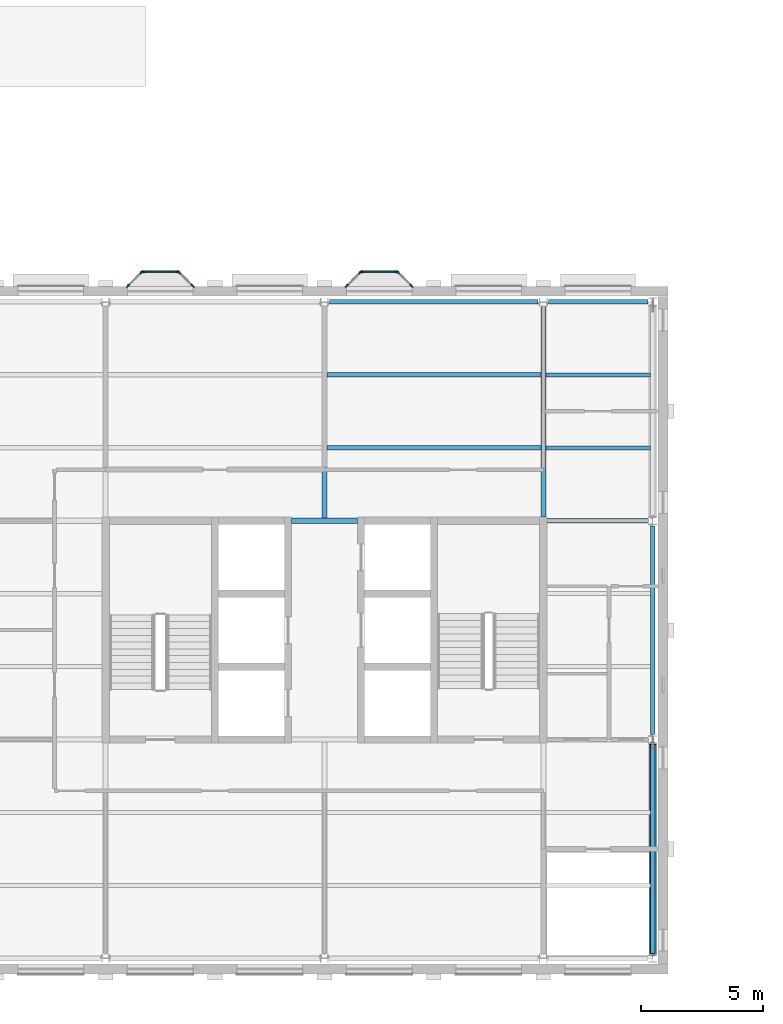
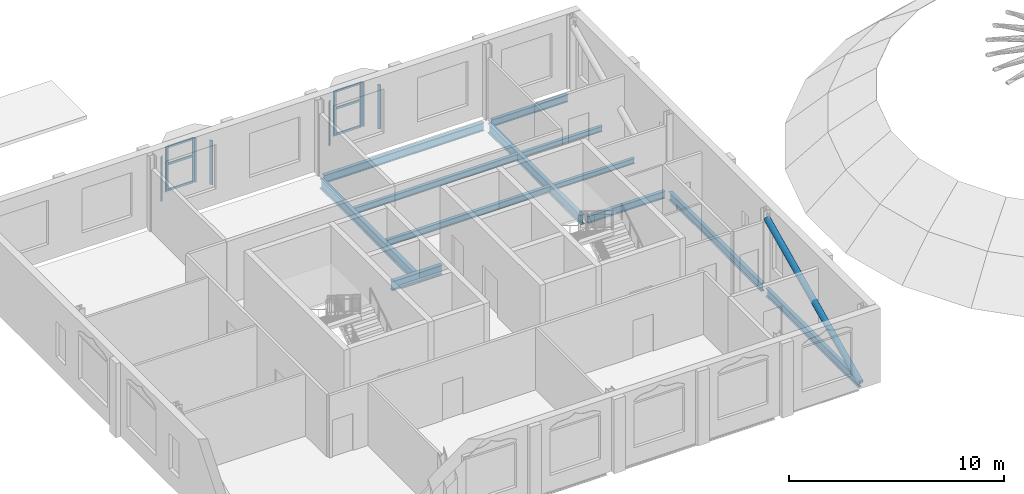
# One storey, part 2 of 15: 19 members, 12 beams, 6 elements without a shape of their own.
"""IFC4 building model written with IfcOpenShell, lengths in metres."""

from ifc_helpers import new_model, si_unit, direction, frame, origin, origin_2d, place, context, subcontext, project, spatial, rectangle, hollow_circle, i_section, extrude, material, layer, layer_set, material_profile, profile_set, type_object, element, aggregate, save


model = new_model("IFC4")

# Units and contexts
model_context = context("Model", 3, precision=1e-05, world=origin(), true_north=direction((0.0, 1.0)))
body_context = subcontext(model_context, "Body", "Model", "MODEL_VIEW")
ifc_project = project(units=[si_unit("LENGTHUNIT", "METRE"), si_unit("AREAUNIT", "SQUARE_METRE"), si_unit("VOLUMEUNIT", "CUBIC_METRE"), si_unit("PLANEANGLEUNIT", "RADIAN"), si_unit("MASSUNIT", "GRAM", prefix="KILO")], contexts=[model_context])

# Site, building, storey
site_placement = place(None, origin())
site = spatial("IfcSite", under=ifc_project, at=site_placement, CompositionType="ELEMENT")
building_placement = place(site_placement, origin())
building = spatial("IfcBuilding", under=site, at=building_placement, Name="Hortulan Conservatory and Botanical Research Centre", CompositionType="ELEMENT")
storey_placement = place(building_placement, frame((0.0, 0.0, 23.39990234375)))
storey = spatial("IfcBuildingStorey", under=building, at=storey_placement, Name="L05", CompositionType="ELEMENT", Elevation=23.39990234375)

# Member
ifc_material_1 = material(Name="Steel Grade C350L0 (350 MPa, AS/NZS 1163)", Category="steel")
ifc_material_profile_1 = material_profile(ifc_material_1, hollow_circle(Radius=0.161865234375, WallThickness=0.009521484375, at=origin_2d()), Name="323.9x9.5CHS")
ifc_profile_set_1 = profile_set([ifc_material_profile_1], Name="Steel Grade C350L0 (350 MPa, AS/NZS 1163)")
member_type_1 = type_object("IfcMemberType", Name="Brace 323.9x9.5CHS", PredefinedType="BRACE", material=ifc_profile_set_1)
member_1_placement = place(storey_placement, frame((31.5, 0.16357421875, -0.28369140625), z_axis=(0.0, 0.906172061076, 0.422909205061), x_axis=(-1.0, 0.0, 0.0)))
element("IfcMember", 1, at=member_1_placement, inside=storey, type_object=member_type_1, Name="323.9x9.5CHS brace", PredefinedType="BRACE", context=body_context, shape_type="SweptSolid", body=[
    extrude(hollow_circle(Radius=0.161865234375, WallThickness=0.009521484375, at=origin_2d()), origin(), (0.0, 0.0, 1.0), 9.57080078125),
])

# Curtain wall, members
ifc_material_2 = material(Name="Bronze-finished aluminium", Category="aluminium")
ifc_layer = layer(ifc_material_2, 0.10009765625)
ifc_layer_set = layer_set([ifc_layer], Name="Oriel Curtain Wall 1350 module")
curtain_wall_type = type_object("IfcCurtainWallType", Name="Oriel Curtain Wall 1350 module", PredefinedType="NOTDEFINED", material=ifc_layer_set)
curtain_wall_1_placement = place(storey_placement, origin())
curtain_wall_1 = element("IfcCurtainWall", 2, at=curtain_wall_1_placement, inside=storey, type_object=curtain_wall_type, Name="Oriel glazing", PredefinedType="NOTDEFINED")
ifc_material_profile_2 = material_profile(ifc_material_2, rectangle(XDim=0.06005859375, YDim=0.159912109375, at=origin_2d()), Name="Bronze Mullion 60x160")
ifc_profile_set_2 = profile_set([ifc_material_profile_2], Name="Bronze-finished aluminium")
member_type_2 = type_object("IfcMemberType", Name="Bronze Mullion 60x160", PredefinedType="MULLION", material=ifc_profile_set_2)
member_2_placement = place(storey_placement, frame((9.921142578125, 27.6572265625, 0.900146484375), z_axis=(0.0, 0.0, 1.0), x_axis=(-0.707106781187, 0.707106781187, 0.0)))
member_2 = element("IfcMember", 3, at=member_2_placement, type_object=member_type_2, Name="CW2 mullion 1", PredefinedType="MULLION", context=body_context, shape_type="SweptSolid", body=[
    extrude(rectangle(XDim=0.06005859375, YDim=0.159912109375, at=origin_2d()), origin(), (0.0, 0.0, 1.0), 2.5),
])
member_3_placement = place(storey_placement, frame((10.478759765625, 28.21484375, 0.900146484375), z_axis=(0.0, 0.0, 1.0), x_axis=(-0.707106781187, 0.707106781187, 0.0)))
member_3 = element("IfcMember", 4, at=member_3_placement, type_object=member_type_2, Name="CW2 mullion 2", PredefinedType="MULLION", context=body_context, shape_type="SweptSolid", body=[
    extrude(rectangle(XDim=0.06005859375, YDim=0.159912109375, at=origin_2d()), origin(), (0.0, 0.0, 1.0), 2.5),
])
aggregate(curtain_wall_1, [member_2, member_3])

curtain_wall_2_placement = place(storey_placement, origin())
curtain_wall_2 = element("IfcCurtainWall", 5, at=curtain_wall_2_placement, inside=storey, type_object=curtain_wall_type, Name="Oriel glazing", PredefinedType="NOTDEFINED")
member_4_placement = place(storey_placement, frame((10.530029296875, 28.236083984375, 0.900146484375), z_axis=(0.0, 0.0, 1.0), x_axis=(0.0, 1.0, 0.0)))
member_4 = element("IfcMember", 6, at=member_4_placement, type_object=member_type_2, Name="CW2 mullion 1", PredefinedType="MULLION", context=body_context, shape_type="SweptSolid", body=[
    extrude(rectangle(XDim=0.06005859375, YDim=0.159912109375, at=origin_2d()), origin(), (0.0, 0.0, 1.0), 2.5),
])
member_5_placement = place(storey_placement, frame((11.969970703125, 28.236083984375, 0.900146484375), z_axis=(0.0, 0.0, 1.0), x_axis=(0.0, 1.0, 0.0)))
member_5 = element("IfcMember", 7, at=member_5_placement, type_object=member_type_2, Name="CW2 mullion 2", PredefinedType="MULLION", context=body_context, shape_type="SweptSolid", body=[
    extrude(rectangle(XDim=0.06005859375, YDim=0.159912109375, at=origin_2d()), origin(), (0.0, 0.0, 1.0), 2.5),
])

curtain_wall_3_placement = place(storey_placement, origin())
curtain_wall_3 = element("IfcCurtainWall", 8, at=curtain_wall_3_placement, inside=storey, type_object=curtain_wall_type, Name="Oriel glazing", PredefinedType="NOTDEFINED")
member_6_placement = place(storey_placement, frame((12.021240234375, 28.21484375, 0.900146484375), z_axis=(0.0, 0.0, 1.0), x_axis=(0.707106781187, 0.707106781187, 0.0)))
member_6 = element("IfcMember", 9, at=member_6_placement, type_object=member_type_2, Name="CW2 mullion 1", PredefinedType="MULLION", context=body_context, shape_type="SweptSolid", body=[
    extrude(rectangle(XDim=0.06005859375, YDim=0.159912109375, at=origin_2d()), origin(), (0.0, 0.0, 1.0), 2.5),
])
member_7_placement = place(storey_placement, frame((12.578857421875, 27.6572265625, 0.900146484375), z_axis=(0.0, 0.0, 1.0), x_axis=(0.707106781187, 0.707106781187, 0.0)))
member_7 = element("IfcMember", 10, at=member_7_placement, type_object=member_type_2, Name="CW2 mullion 2", PredefinedType="MULLION", context=body_context, shape_type="SweptSolid", body=[
    extrude(rectangle(XDim=0.06005859375, YDim=0.159912109375, at=origin_2d()), origin(), (0.0, 0.0, 1.0), 2.5),
])
aggregate(curtain_wall_3, [member_6, member_7])

curtain_wall_4_placement = place(storey_placement, origin())
curtain_wall_4 = element("IfcCurtainWall", 11, at=curtain_wall_4_placement, inside=storey, type_object=curtain_wall_type, Name="Oriel glazing", PredefinedType="NOTDEFINED")
member_8_placement = place(storey_placement, frame((18.921142578125, 27.6572265625, 0.900146484375), z_axis=(0.0, 0.0, 1.0), x_axis=(-0.707106781187, 0.707106781187, 0.0)))
member_8 = element("IfcMember", 12, at=member_8_placement, type_object=member_type_2, Name="CW2 mullion 1", PredefinedType="MULLION", context=body_context, shape_type="SweptSolid", body=[
    extrude(rectangle(XDim=0.06005859375, YDim=0.159912109375, at=origin_2d()), origin(), (0.0, 0.0, 1.0), 2.5),
])
member_9_placement = place(storey_placement, frame((19.478759765625, 28.21484375, 0.900146484375), z_axis=(0.0, 0.0, 1.0), x_axis=(-0.707106781187, 0.707106781187, 0.0)))
member_9 = element("IfcMember", 13, at=member_9_placement, type_object=member_type_2, Name="CW2 mullion 2", PredefinedType="MULLION", context=body_context, shape_type="SweptSolid", body=[
    extrude(rectangle(XDim=0.06005859375, YDim=0.159912109375, at=origin_2d()), origin(), (0.0, 0.0, 1.0), 2.5),
])
aggregate(curtain_wall_4, [member_8, member_9])

curtain_wall_5_placement = place(storey_placement, origin())
curtain_wall_5 = element("IfcCurtainWall", 14, at=curtain_wall_5_placement, inside=storey, type_object=curtain_wall_type, Name="Oriel glazing", PredefinedType="NOTDEFINED")
member_10_placement = place(storey_placement, frame((19.530029296875, 28.236083984375, 0.900146484375), z_axis=(0.0, 0.0, 1.0), x_axis=(0.0, 1.0, 0.0)))
member_10 = element("IfcMember", 15, at=member_10_placement, type_object=member_type_2, Name="CW2 mullion 1", PredefinedType="MULLION", context=body_context, shape_type="SweptSolid", body=[
    extrude(rectangle(XDim=0.06005859375, YDim=0.159912109375, at=origin_2d()), origin(), (0.0, 0.0, 1.0), 2.5),
])
member_11_placement = place(storey_placement, frame((20.969970703125, 28.236083984375, 0.900146484375), z_axis=(0.0, 0.0, 1.0), x_axis=(0.0, 1.0, 0.0)))
member_11 = element("IfcMember", 16, at=member_11_placement, type_object=member_type_2, Name="CW2 mullion 2", PredefinedType="MULLION", context=body_context, shape_type="SweptSolid", body=[
    extrude(rectangle(XDim=0.06005859375, YDim=0.159912109375, at=origin_2d()), origin(), (0.0, 0.0, 1.0), 2.5),
])

curtain_wall_6_placement = place(storey_placement, origin())
curtain_wall_6 = element("IfcCurtainWall", 17, at=curtain_wall_6_placement, inside=storey, type_object=curtain_wall_type, Name="Oriel glazing", PredefinedType="NOTDEFINED")
member_12_placement = place(storey_placement, frame((21.021240234375, 28.21484375, 0.900146484375), z_axis=(0.0, 0.0, 1.0), x_axis=(0.707106781187, 0.707106781187, 0.0)))
member_12 = element("IfcMember", 18, at=member_12_placement, type_object=member_type_2, Name="CW2 mullion 1", PredefinedType="MULLION", context=body_context, shape_type="SweptSolid", body=[
    extrude(rectangle(XDim=0.06005859375, YDim=0.159912109375, at=origin_2d()), origin(), (0.0, 0.0, 1.0), 2.5),
])
member_13_placement = place(storey_placement, frame((21.578857421875, 27.6572265625, 0.900146484375), z_axis=(0.0, 0.0, 1.0), x_axis=(0.707106781187, 0.707106781187, 0.0)))
member_13 = element("IfcMember", 19, at=member_13_placement, type_object=member_type_2, Name="CW2 mullion 2", PredefinedType="MULLION", context=body_context, shape_type="SweptSolid", body=[
    extrude(rectangle(XDim=0.06005859375, YDim=0.159912109375, at=origin_2d()), origin(), (0.0, 0.0, 1.0), 2.5),
])
aggregate(curtain_wall_6, [member_12, member_13])

# Member
ifc_material_profile_3 = material_profile(ifc_material_2, rectangle(XDim=0.06005859375, YDim=0.1201171875, at=origin_2d()), Name="Bronze Transom 60x120")
ifc_profile_set_3 = profile_set([ifc_material_profile_3], Name="Bronze-finished aluminium")
member_type_3 = type_object("IfcMemberType", Name="Bronze Transom 60x120", PredefinedType="USERDEFINED", material=ifc_profile_set_3)
member_14_placement = place(storey_placement, frame((10.56005859375, 28.236083984375, 0.93017578125), z_axis=(1.0, 0.0, 0.0), x_axis=(0.0, 1.0, 0.0)))
member_14 = element("IfcMember", 20, at=member_14_placement, type_object=member_type_3, Name="CW2 transom 1.1", ObjectType="TRANSOM", PredefinedType="USERDEFINED", context=body_context, shape_type="SweptSolid", body=[
    extrude(rectangle(XDim=0.06005859375, YDim=0.1201171875, at=origin_2d()), origin(), (0.0, 0.0, 1.0), 1.3798828125),
])

member_15_placement = place(storey_placement, frame((10.56005859375, 28.236083984375, 2.400146484375), z_axis=(1.0, 0.0, 0.0), x_axis=(0.0, 1.0, 0.0)))
member_15 = element("IfcMember", 21, at=member_15_placement, type_object=member_type_3, Name="CW2 transom 1.2", ObjectType="TRANSOM", PredefinedType="USERDEFINED", context=body_context, shape_type="SweptSolid", body=[
    extrude(rectangle(XDim=0.06005859375, YDim=0.1201171875, at=origin_2d()), origin(), (0.0, 0.0, 1.0), 1.3798828125),
])

member_16_placement = place(storey_placement, frame((10.56005859375, 28.236083984375, 3.3701171875), z_axis=(1.0, 0.0, 0.0), x_axis=(0.0, 1.0, 0.0)))
member_16 = element("IfcMember", 22, at=member_16_placement, type_object=member_type_3, Name="CW2 transom 1.3", ObjectType="TRANSOM", PredefinedType="USERDEFINED", context=body_context, shape_type="SweptSolid", body=[
    extrude(rectangle(XDim=0.06005859375, YDim=0.1201171875, at=origin_2d()), origin(), (0.0, 0.0, 1.0), 1.3798828125),
])

aggregate(curtain_wall_2, [member_4, member_5, member_14, member_15, member_16])

member_17_placement = place(storey_placement, frame((19.56005859375, 28.236083984375, 0.93017578125), z_axis=(1.0, 0.0, 0.0), x_axis=(0.0, 1.0, 0.0)))
member_17 = element("IfcMember", 23, at=member_17_placement, type_object=member_type_3, Name="CW2 transom 1.1", ObjectType="TRANSOM", PredefinedType="USERDEFINED", context=body_context, shape_type="SweptSolid", body=[
    extrude(rectangle(XDim=0.06005859375, YDim=0.1201171875, at=origin_2d()), origin(), (0.0, 0.0, 1.0), 1.3798828125),
])

member_18_placement = place(storey_placement, frame((19.56005859375, 28.236083984375, 2.400146484375), z_axis=(1.0, 0.0, 0.0), x_axis=(0.0, 1.0, 0.0)))
member_18 = element("IfcMember", 24, at=member_18_placement, type_object=member_type_3, Name="CW2 transom 1.2", ObjectType="TRANSOM", PredefinedType="USERDEFINED", context=body_context, shape_type="SweptSolid", body=[
    extrude(rectangle(XDim=0.06005859375, YDim=0.1201171875, at=origin_2d()), origin(), (0.0, 0.0, 1.0), 1.3798828125),
])

member_19_placement = place(storey_placement, frame((19.56005859375, 28.236083984375, 3.3701171875), z_axis=(1.0, 0.0, 0.0), x_axis=(0.0, 1.0, 0.0)))
member_19 = element("IfcMember", 25, at=member_19_placement, type_object=member_type_3, Name="CW2 transom 1.3", ObjectType="TRANSOM", PredefinedType="USERDEFINED", context=body_context, shape_type="SweptSolid", body=[
    extrude(rectangle(XDim=0.06005859375, YDim=0.1201171875, at=origin_2d()), origin(), (0.0, 0.0, 1.0), 1.3798828125),
])

aggregate(curtain_wall_5, [member_10, member_11, member_17, member_18, member_19])

# Beams
ifc_material_3 = material(Name="Steel Grade 300PLUS (AS/NZS 3679.1, 280 MPa minimum yield)", Category="steel")
ifc_material_profile_4 = material_profile(ifc_material_3, i_section(OverallWidth=0.177978515625, OverallDepth=0.403076171875, WebThickness=0.007568359375, FlangeThickness=0.010986328125, FilletRadius=0.011474609375, at=origin_2d()), Name="410UB53.7")
ifc_profile_set_4 = profile_set([ifc_material_profile_4], Name="Steel Grade 300PLUS (AS/NZS 3679.1, 280 MPa minimum yield)")
beam_type_1 = type_object("IfcBeamType", Name="Primary Beam 410UB53.7", PredefinedType="BEAM", material=ifc_profile_set_4)
beam_1_placement = place(storey_placement, frame((27.2109375, 27.0, -0.331298828125), z_axis=(1.0, 0.0, 0.0), x_axis=(0.0, 1.0, 0.0)))
element("IfcBeam", 26, at=beam_1_placement, inside=storey, type_object=beam_type_1, Name="410UB53.7 girder", PredefinedType="BEAM", context=body_context, shape_type="SweptSolid", body=[
    extrude(i_section(OverallWidth=0.177978515625, OverallDepth=0.403076171875, WebThickness=0.007568359375, FlangeThickness=0.010986328125, FilletRadius=0.011474609375, at=origin_2d()), origin(), (0.0, 0.0, 1.0), 4.089111328125),
])
beam_2_placement = place(storey_placement, frame((27.14990234375, 18.0, -0.331298828125), z_axis=(1.0, 0.0, 0.0), x_axis=(0.0, 1.0, 0.0)))
element("IfcBeam", 27, at=beam_2_placement, inside=storey, type_object=beam_type_1, Name="410UB53.7 girder", PredefinedType="BEAM", context=body_context, shape_type="SweptSolid", body=[
    extrude(i_section(OverallWidth=0.177978515625, OverallDepth=0.403076171875, WebThickness=0.007568359375, FlangeThickness=0.010986328125, FilletRadius=0.011474609375, at=origin_2d()), origin(), (0.0, 0.0, 1.0), 4.150146484375),
])
ifc_material_profile_5 = material_profile(ifc_material_3, i_section(OverallWidth=0.19091796875, OverallDepth=0.4599609375, WebThickness=0.010009765625, FlangeThickness=0.01611328125, FilletRadius=0.011474609375, at=origin_2d()), Name="460UB82.1")
ifc_profile_set_5 = profile_set([ifc_material_profile_5], Name="Steel Grade 300PLUS (AS/NZS 3679.1, 280 MPa minimum yield)")
beam_type_2 = type_object("IfcBeamType", Name="Primary Beam 460UB82.1", PredefinedType="BEAM", material=ifc_profile_set_5)
for number, where, z_axis, x_axis, name in (
    (28, (18.2109375, 27.0, -0.35986328125), (1.0, 0.0, 0.0), (0.0, 1.0, 0.0), "460UB82.1 girder"),
    (29, (31.5, 0.2109375, -0.35986328125), (0.0, 1.0, 0.0), (-1.0, 0.0, 0.0), "460UB82.1 girder"),
    (30, (31.5, 9.2109375, -0.35986328125), (0.0, 1.0, 0.0), (-1.0, 0.0, 0.0), "460UB82.1 girder"),
):
    element("IfcBeam", number, at=place(storey_placement, frame(where, z_axis=z_axis, x_axis=x_axis)), inside=storey, type_object=beam_type_2, Name=name, PredefinedType="BEAM", context=body_context, shape_type="SweptSolid", body=[
        extrude(i_section(OverallWidth=0.19091796875, OverallDepth=0.4599609375, WebThickness=0.010009765625, FlangeThickness=0.01611328125, FilletRadius=0.011474609375, at=origin_2d()), origin(), (0.0, 0.0, 1.0), 8.578125),
    ])
ifc_material_profile_6 = material_profile(ifc_material_3, i_section(OverallWidth=0.208984375, OverallDepth=0.532958984375, WebThickness=0.01025390625, FlangeThickness=0.015625, FilletRadius=0.013916015625, at=origin_2d()), Name="530UB92.4")
ifc_profile_set_6 = profile_set([ifc_material_profile_6], Name="Steel Grade 300PLUS (AS/NZS 3679.1, 280 MPa minimum yield)")
beam_type_3 = type_object("IfcBeamType", Name="Primary Beam 530UB92.4", PredefinedType="BEAM", material=ifc_profile_set_6)
beam_3_placement = place(storey_placement, frame((16.64990234375, 18.0, -0.396484375), z_axis=(1.0, 0.0, 0.0), x_axis=(0.0, 1.0, 0.0)))
element("IfcBeam", 31, at=beam_3_placement, inside=storey, type_object=beam_type_3, Name="530UB92.4 girder", PredefinedType="BEAM", context=body_context, shape_type="SweptSolid", body=[
    extrude(i_section(OverallWidth=0.208984375, OverallDepth=0.532958984375, WebThickness=0.01025390625, FlangeThickness=0.015625, FilletRadius=0.013916015625, at=origin_2d()), origin(), (0.0, 0.0, 1.0), 2.7001953125),
])
beam_4_placement = place(storey_placement, frame((18.0, 18.0, -0.396484375), z_axis=(0.0, 1.0, 0.0), x_axis=(-1.0, 0.0, 0.0)))
element("IfcBeam", 32, at=beam_4_placement, inside=storey, type_object=beam_type_3, Name="530UB92.4 girder", PredefinedType="BEAM", context=body_context, shape_type="SweptSolid", body=[
    extrude(i_section(OverallWidth=0.208984375, OverallDepth=0.532958984375, WebThickness=0.01025390625, FlangeThickness=0.015625, FilletRadius=0.013916015625, at=origin_2d()), origin(), (0.0, 0.0, 1.0), 8.800048828125),
])
beam_5_placement = place(storey_placement, frame((27.0, 18.14990234375, -0.396484375), z_axis=(0.0, 1.0, 0.0), x_axis=(-1.0, 0.0, 0.0)))
element("IfcBeam", 33, at=beam_5_placement, inside=storey, type_object=beam_type_3, Name="530UB92.4 girder", PredefinedType="BEAM", context=body_context, shape_type="SweptSolid", body=[
    extrude(i_section(OverallWidth=0.208984375, OverallDepth=0.532958984375, WebThickness=0.01025390625, FlangeThickness=0.015625, FilletRadius=0.013916015625, at=origin_2d()), origin(), (0.0, 0.0, 1.0), 8.650146484375),
])
ifc_material_profile_7 = material_profile(ifc_material_3, i_section(OverallWidth=0.1650390625, OverallDepth=0.303955078125, WebThickness=0.006103515625, FlangeThickness=0.01025390625, FilletRadius=0.011474609375, at=origin_2d()), Name="310UB40.4")
ifc_profile_set_7 = profile_set([ifc_material_profile_7], Name="Steel Grade 300PLUS (AS/NZS 3679.1, 280 MPa minimum yield)")
beam_type_4 = type_object("IfcBeamType", Name="Secondary Beam 310UB40.4", PredefinedType="JOIST", material=ifc_profile_set_7)
for number, where, z_axis, x_axis, name in (
    (34, (27.1044921875, 21.0, -0.281982421875), (1.0, 0.0, 0.0), (0.0, 1.0, 0.0), "310UB40.4 secondary beam"),
    (35, (27.1044921875, 24.0, -0.281982421875), (1.0, 0.0, 0.0), (0.0, 1.0, 0.0), "310UB40.4 secondary beam"),
):
    element("IfcBeam", number, at=place(storey_placement, frame(where, z_axis=z_axis, x_axis=x_axis)), inside=storey, type_object=beam_type_4, Name=name, PredefinedType="JOIST", context=body_context, shape_type="SweptSolid", body=[
        extrude(i_section(OverallWidth=0.1650390625, OverallDepth=0.303955078125, WebThickness=0.006103515625, FlangeThickness=0.01025390625, FilletRadius=0.011474609375, at=origin_2d()), origin(), (0.0, 0.0, 1.0), 4.300048828125),
    ])
ifc_material_profile_8 = material_profile(ifc_material_3, i_section(OverallWidth=0.172119140625, OverallDepth=0.35888671875, WebThickness=0.008056640625, FlangeThickness=0.012939453125, FilletRadius=0.011474609375, at=origin_2d()), Name="360UB56.7")
ifc_profile_set_8 = profile_set([ifc_material_profile_8], Name="Steel Grade 300PLUS (AS/NZS 3679.1, 280 MPa minimum yield)")
beam_type_5 = type_object("IfcBeamType", Name="Secondary Beam 360UB56.7", PredefinedType="JOIST", material=ifc_profile_set_8)
for number, where, z_axis, x_axis, name in (
    (36, (18.1044921875, 21.0, -0.309326171875), (1.0, 0.0, 0.0), (0.0, 1.0, 0.0), "360UB56.7 secondary beam"),
    (37, (18.1044921875, 24.0, -0.309326171875), (1.0, 0.0, 0.0), (0.0, 1.0, 0.0), "360UB56.7 secondary beam"),
):
    element("IfcBeam", number, at=place(storey_placement, frame(where, z_axis=z_axis, x_axis=x_axis)), inside=storey, type_object=beam_type_5, Name=name, PredefinedType="JOIST", context=body_context, shape_type="SweptSolid", body=[
        extrude(i_section(OverallWidth=0.172119140625, OverallDepth=0.35888671875, WebThickness=0.008056640625, FlangeThickness=0.012939453125, FilletRadius=0.011474609375, at=origin_2d()), origin(), (0.0, 0.0, 1.0), 8.791015625),
    ])

save(model, "model.ifc")
